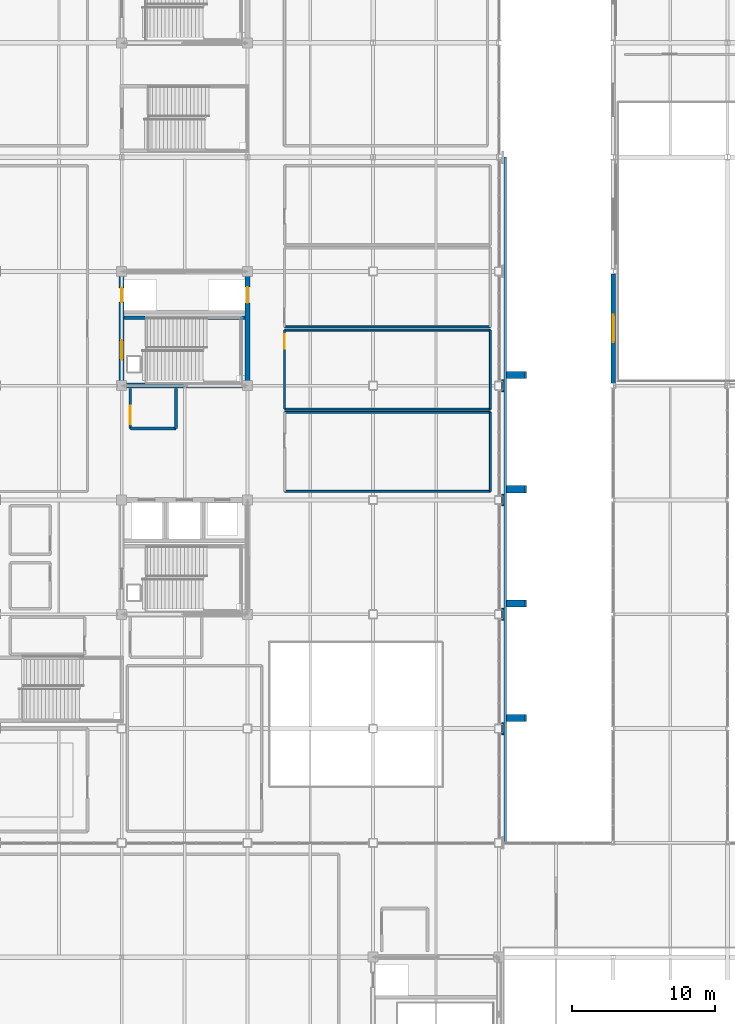
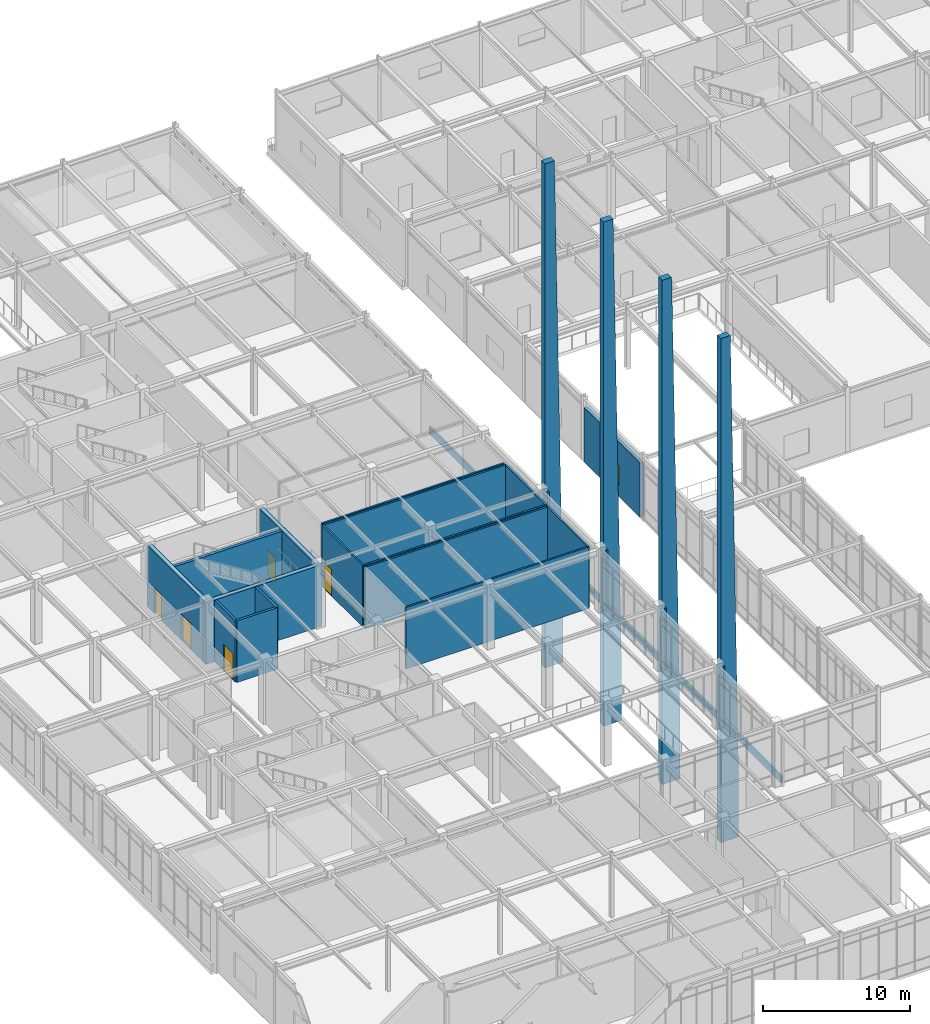
# One storey, part 162 of 184: 25 walls, 5 doors, 1 window, 6 openings.
"""IFC4 building model written with IfcOpenShell, lengths in metres."""

from ifc_helpers import new_model, si_unit, direction, frame, frame_2d, origin, place, context, subcontext, project, spatial, polyline, rectangle, outline, extrude, material, layer, layer_set, type_object, element, fill, save


model = new_model("IFC4")

# Units and contexts
model_context = context("Model", 3, precision=1e-05, world=origin(), true_north=direction((0.0, 1.0)))
body_context = subcontext(model_context, "Body", "Model", "MODEL_VIEW")
ifc_project = project(units=[si_unit("LENGTHUNIT", "METRE"), si_unit("AREAUNIT", "SQUARE_METRE"), si_unit("VOLUMEUNIT", "CUBIC_METRE"), si_unit("PLANEANGLEUNIT", "RADIAN"), si_unit("MASSUNIT", "GRAM", prefix="KILO")], contexts=[model_context])

# Site, building, storey
site_placement = place(None, origin())
site = spatial("IfcSite", under=ifc_project, at=site_placement, CompositionType="ELEMENT")
building_placement = place(site_placement, origin())
building = spatial("IfcBuilding", under=site, at=building_placement, Name="Zhaolan Boulevard Law Courts", CompositionType="ELEMENT")
storey_placement = place(building_placement, frame((0.0, 0.0, 5.39990234375)))
storey = spatial("IfcBuildingStorey", under=building, at=storey_placement, Name="L01", CompositionType="ELEMENT", Elevation=5.39990234375)

# Wall
ifc_material_1 = material(Name="Concrete C50", Category="concrete")
ifc_layer_1 = layer(ifc_material_1, 0.35009765625)
ifc_layer_set_1 = layer_set([ifc_layer_1])
wall_type_1 = type_object("IfcWallType", Name="CORE SHEAR WALL 350", PredefinedType="SHEAR", material=ifc_layer_set_1)
wall_1_placement = place(storey_placement, frame((17.425048828125, 62.0, 0.0), z_axis=(0.0, 0.0, 1.0), x_axis=(1.0, 0.0, 0.0)))
element("IfcWall", 1, at=wall_1_placement, inside=storey, type_object=wall_type_1, Name="Core Shear Wall CW-W2-L01S", PredefinedType="SHEAR", context=body_context, shape_type="SweptSolid", body=[
    extrude(rectangle(XDim=9.14990234375, YDim=0.35009765625, at=frame_2d((4.574951171875, 0.0))), origin(), (0.0, 0.0, 1.0), 5.1201171875),
])

# Wall, openings, doors
wall_2_placement = place(storey_placement, frame((17.60009765625, 62.175048828125, 0.0), z_axis=(0.0, 0.0, 1.0), x_axis=(0.0, 1.0, 0.0)))
wall_2 = element("IfcWall", 2, at=wall_2_placement, inside=storey, type_object=wall_type_1, Name="Core Shear Wall CW-W2-L01W", PredefinedType="SHEAR", context=body_context, shape_type="SweptSolid", body=[
    extrude(rectangle(XDim=7.64990234375, YDim=0.35009765625, at=frame_2d((3.824951171875, 0.0))), origin(), (0.0, 0.0, 1.0), 5.1201171875),
])
opening_1_placement = place(wall_2_placement, frame((1.64990234375, 0.0, 0.0)))
opening_1 = element("IfcOpeningElement", 3, at=opening_1_placement, cuts=wall_2, Name="Opening SD-L01-14", PredefinedType="OPENING", context=body_context, shape_type="SweptSolid", body=[
    extrude(rectangle(XDim=1.35009765625, YDim=2.199951171875, at=frame_2d((0.675048828125, 1.10009765625))), frame((0.0, 0.18505859375, 0.0), z_axis=(0.0, -1.0, 0.0), x_axis=(1.0, 0.0, 0.0)), (0.0, 0.0, 1.0), 0.3701171875),
])
opening_2_placement = place(wall_2_placement, frame((5.675048828125, 0.0, 0.0)))
opening_2 = element("IfcOpeningElement", 4, at=opening_2_placement, cuts=wall_2, Name="Opening LD-JL-02-L01", PredefinedType="OPENING", context=body_context, shape_type="SweptSolid", body=[
    extrude(rectangle(XDim=1.0, YDim=2.14990234375, at=frame_2d((0.5, 1.074951171875))), frame((0.0, 0.18505859375, 0.0), z_axis=(0.0, -1.0, 0.0), x_axis=(1.0, 0.0, 0.0)), (0.0, 0.0, 1.0), 0.3701171875),
])
ifc_material_2 = material(Name="Stainless steel sliding landing door", Category="steel")
door_type_1 = type_object("IfcDoorType", Name="LIFT LANDING 1000X2150", OperationType="DOUBLE_DOOR_SLIDING", PredefinedType="DOOR", material=ifc_material_2)
door_1_placement = place(opening_2_placement, origin())
door_1 = element("IfcDoor", 5, at=door_1_placement, inside=storey, type_object=door_type_1, Name="Lift Landing Sliding Door LD-JL-02-L01", OperationType="DOUBLE_DOOR_SLIDING", OverallHeight=2.14990234375, OverallWidth=1.0, PredefinedType="DOOR", context=body_context, shape_type="SweptSolid", body=[
    extrude(rectangle(XDim=1.0, YDim=2.14990234375, at=frame_2d((0.5, 1.074951171875))), frame((0.0, 0.02490234375, 0.0), z_axis=(0.0, -1.0, 0.0), x_axis=(1.0, 0.0, 0.0)), (0.0, 0.0, 1.0), 0.050048828125),
])
fill(opening_2, door_1)
ifc_material_3 = material(Name="Fire-rated steel acoustic door", Category="steel")
door_type_2 = type_object("IfcDoorType", Name="STAIR FIRE 1350X2200 R", OperationType="SINGLE_SWING_RIGHT", PredefinedType="DOOR", material=ifc_material_3)
door_2_placement = place(opening_1_placement, origin())
door_2 = element("IfcDoor", 6, at=door_2_placement, inside=storey, type_object=door_type_2, Name="Smoke-Proof Stairwell Fire Door SD-L01-14", OperationType="SINGLE_SWING_RIGHT", OverallHeight=2.199951171875, OverallWidth=1.35009765625, PredefinedType="DOOR", context=body_context, shape_type="SweptSolid", body=[
    extrude(rectangle(XDim=1.35009765625, YDim=2.199951171875, at=frame_2d((0.675048828125, 1.10009765625))), frame((0.0, 0.02490234375, 0.0), z_axis=(0.0, -1.0, 0.0), x_axis=(1.0, 0.0, 0.0)), (0.0, 0.0, 1.0), 0.050048828125),
])
fill(opening_1, door_2)

# Wall, opening, door
wall_3_placement = place(storey_placement, frame((26.39990234375, 62.175048828125, 0.0), z_axis=(0.0, 0.0, 1.0), x_axis=(0.0, 1.0, 0.0)))
wall_3 = element("IfcWall", 7, at=wall_3_placement, inside=storey, type_object=wall_type_1, Name="Core Shear Wall CW-W2-L01E", PredefinedType="SHEAR", context=body_context, shape_type="SweptSolid", body=[
    extrude(rectangle(XDim=7.64990234375, YDim=0.35009765625, at=frame_2d((3.824951171875, 0.0))), origin(), (0.0, 0.0, 1.0), 5.1201171875),
])
opening_3_placement = place(wall_3_placement, frame((5.625, 0.0, 0.0)))
opening_3 = element("IfcOpeningElement", 8, at=opening_3_placement, cuts=wall_3, Name="Opening LD-FL-03-L01", PredefinedType="OPENING", context=body_context, shape_type="SweptSolid", body=[
    extrude(rectangle(XDim=1.10009765625, YDim=2.14990234375, at=frame_2d((0.550048828125, 1.074951171875))), frame((0.0, 0.18505859375, 0.0), z_axis=(0.0, -1.0, 0.0), x_axis=(1.0, 0.0, 0.0)), (0.0, 0.0, 1.0), 0.3701171875),
])
ifc_material_4 = material(Name="Stainless steel sliding landing door", Category="steel")
door_type_3 = type_object("IfcDoorType", Name="LIFT LANDING 1100X2150", OperationType="DOUBLE_DOOR_SLIDING", PredefinedType="DOOR", material=ifc_material_4)
door_3_placement = place(opening_3_placement, origin())
door_3 = element("IfcDoor", 9, at=door_3_placement, inside=storey, type_object=door_type_3, Name="Lift Landing Sliding Door LD-FL-03-L01", OperationType="DOUBLE_DOOR_SLIDING", OverallHeight=2.14990234375, OverallWidth=1.10009765625, PredefinedType="DOOR", context=body_context, shape_type="SweptSolid", body=[
    extrude(rectangle(XDim=1.10009765625, YDim=2.14990234375, at=frame_2d((0.550048828125, 1.074951171875))), frame((0.0, 0.02490234375, 0.0), z_axis=(0.0, -1.0, 0.0), x_axis=(1.0, 0.0, 0.0)), (0.0, 0.0, 1.0), 0.050048828125),
])
fill(opening_3, door_3)

# Walls
ifc_material_5 = material(Name="Concrete C40", Category="concrete")
ifc_layer_2 = layer(ifc_material_5, 0.139892578125)
ifc_layer_set_2 = layer_set([ifc_layer_2])
wall_type_2 = type_object("IfcWallType", Name="EXT WALL ARCH CLAD140", PredefinedType="SOLIDWALL", material=ifc_layer_set_2)
for number, where, z_axis, x_axis, name in (
    (10, (44.280029296875, 37.580078125, 0.0), (0.0, 0.0, 1.0), (0.0, 1.0, 0.0), "Concrete Column Cloak Pier CPR-043"),
    (11, (44.280029296875, 45.580078125, 0.0), (0.0, 0.0, 1.0), (0.0, 1.0, 0.0), "Concrete Column Cloak Pier CPR-045"),
    (12, (44.280029296875, 53.580078125, 0.0), (0.0, 0.0, 1.0), (0.0, 1.0, 0.0), "Concrete Column Cloak Pier CPR-047"),
    (13, (44.280029296875, 61.580078125, 0.0), (0.0, 0.0, 1.0), (0.0, 1.0, 0.0), "Concrete Column Cloak Pier CPR-049"),
):
    element("IfcWall", number, at=place(storey_placement, frame(where, z_axis=z_axis, x_axis=x_axis)), inside=storey, type_object=wall_type_2, Name=name, PredefinedType="SOLIDWALL", context=body_context, shape_type="SweptSolid", body=[
        extrude(rectangle(XDim=0.83984375, YDim=0.139892578125, at=frame_2d((0.419921875, 0.0))), origin(), (0.0, 0.0, 1.0), 5.14013671875),
    ])
ifc_material_6 = material(Name="Concrete C40", Category="concrete")
ifc_layer_3 = layer(ifc_material_6, 0.159912109375)
ifc_layer_set_3 = layer_set([ifc_layer_3])
wall_type_3 = type_object("IfcWallType", Name="EXT WALL ARCH CLAD160", PredefinedType="SOLIDWALL", material=ifc_layer_set_3)
wall_4_placement = place(storey_placement, frame((44.43994140625, 30.0, 0.0), z_axis=(0.0, 0.0, 1.0), x_axis=(0.0, 1.0, 0.0)))
element("IfcWall", 14, at=wall_4_placement, inside=storey, type_object=wall_type_3, Name="Sculpted Concrete Spandrel Band CBW-039", PredefinedType="SOLIDWALL", context=body_context, shape_type="SweptSolid", body=[
    extrude(rectangle(XDim=48.0, YDim=0.159912109375, at=frame_2d((24.0, 0.0))), origin(), (0.0, 0.0, 1.0), 0.580078125),
])
ifc_material_7 = material(Name="Concrete C40", Category="concrete")
ifc_layer_4 = layer(ifc_material_7, 0.5)
ifc_layer_set_4 = layer_set([ifc_layer_4])
wall_type_4 = type_object("IfcWallType", Name="EXT WALL BUTTRESS500", PredefinedType="SOLIDWALL", material=ifc_layer_set_4)
for number, where, z_axis, x_axis, name in (
    (15, (44.5400390625, 38.75, -10.199951171875), (0.0, 0.0, 1.0), (1.0, 0.0, 0.0), "Sculpted East Courtyard Concrete Fin SCF-225"),
    (16, (44.5400390625, 46.75, -10.199951171875), (0.0, 0.0, 1.0), (1.0, 0.0, 0.0), "Sculpted East Courtyard Concrete Fin SCF-226"),
    (17, (44.5400390625, 54.75, -10.199951171875), (0.0, 0.0, 1.0), (1.0, 0.0, 0.0), "Sculpted East Courtyard Concrete Fin SCF-227"),
    (18, (44.5400390625, 62.75, -10.199951171875), (0.0, 0.0, 1.0), (1.0, 0.0, 0.0), "Sculpted East Courtyard Concrete Fin SCF-228"),
):
    element("IfcWall", number, at=place(storey_placement, frame(where, z_axis=z_axis, x_axis=x_axis)), inside=storey, type_object=wall_type_4, Name=name, PredefinedType="SOLIDWALL", context=body_context, shape_type="SweptSolid", body=[
        extrude(outline(polyline([(0.0, 0.0), (1.409912109375, 0.0), (1.409912109375, 4.800048828125), (0.75, 42.0), (0.0, 42.0), (0.0, 0.0)])), frame((0.0, 0.25, 0.0), z_axis=(0.0, -1.0, 0.0), x_axis=(1.0, 0.0, 0.0)), (0.0, 0.0, 1.0), 0.5),
    ])

# Wall, opening, window
ifc_material_8 = material(Name="Concrete C40", Category="concrete")
ifc_layer_5 = layer(ifc_material_8, 0.300048828125)
ifc_layer_set_5 = layer_set([ifc_layer_5])
wall_type_5 = type_object("IfcWallType", Name="EXT WALL CONCRETE300", PredefinedType="SOLIDWALL", material=ifc_layer_set_5)
wall_5_placement = place(storey_placement, frame((52.0, 69.8291015625, 0.0), z_axis=(0.0, 0.0, 1.0), x_axis=(0.0, -1.0, 0.0)))
wall_5 = element("IfcWall", 19, at=wall_5_placement, inside=storey, type_object=wall_type_5, Name="Exterior Wall EW-L01-229", PredefinedType="SOLIDWALL", context=body_context, shape_type="SweptSolid", body=[
    extrude(rectangle(XDim=7.658203125, YDim=0.300048828125, at=frame_2d((3.8291015625, 0.0))), origin(), (0.0, 0.0, 1.0), 4.503173828125),
])
opening_4_placement = place(wall_5_placement, frame((2.87890625, 0.0, 0.949951171875)))
opening_4 = element("IfcOpeningElement", 20, at=opening_4_placement, cuts=wall_5, Name="Opening WIN-L01-086", PredefinedType="OPENING", context=body_context, shape_type="SweptSolid", body=[
    extrude(rectangle(XDim=1.89990234375, YDim=1.60009765625, at=frame_2d((0.949951171875, 0.800048828125))), frame((0.0, 0.159912109375, 0.0), z_axis=(0.0, -1.0, 0.0), x_axis=(1.0, 0.0, 0.0)), (0.0, 0.0, 1.0), 0.320068359375),
])
ifc_material_9 = material(Name="Thermally broken aluminium and low-E glazing", Category="aluminium")
window_type = type_object("IfcWindowType", Name="WINDOW 1900X1600", PartitioningType="DOUBLE_PANEL_VERTICAL", PredefinedType="WINDOW", material=ifc_material_9)
window_placement = place(opening_4_placement, origin())
window = element("IfcWindow", 21, at=window_placement, inside=storey, type_object=window_type, Name="Exterior Window WIN-L01-086", OverallHeight=1.60009765625, OverallWidth=1.89990234375, PartitioningType="SINGLE_PANEL", PredefinedType="WINDOW", context=body_context, shape_type="SweptSolid", body=[
    extrude(rectangle(XDim=1.89990234375, YDim=1.60009765625, at=frame_2d((0.949951171875, 0.800048828125))), frame((0.0, 0.030029296875, 0.0), z_axis=(0.0, -1.0, 0.0), x_axis=(1.0, 0.0, 0.0)), (0.0, 0.0, 1.0), 0.06005859375),
])
fill(opening_4, window)

# Wall
ifc_material_10 = material(Name="Acoustic gypsum and mineral-wool stud")
ifc_layer_6 = layer(ifc_material_10, 0.18994140625)
ifc_layer_set_6 = layer_set([ifc_layer_6])
wall_type_6 = type_object("IfcWallType", Name="PART WALL ACOUST190", PredefinedType="PARTITIONING", material=ifc_layer_set_6)
wall_6_placement = place(storey_placement, frame((18.199951171875, 59.0, 0.0), z_axis=(0.0, 0.0, 1.0), x_axis=(1.0, 0.0, 0.0)))
element("IfcWall", 22, at=wall_6_placement, inside=storey, type_object=wall_type_6, Name="Interior Partition PW-L01-016", PredefinedType="PARTITIONING", context=body_context, shape_type="SweptSolid", body=[
    extrude(rectangle(XDim=3.199951171875, YDim=0.18994140625, at=frame_2d((1.60009765625, 0.0))), origin(), (0.0, 0.0, 1.0), 5.1201171875),
])

# Wall, opening, door
wall_7_placement = place(storey_placement, frame((18.199951171875, 61.800048828125, 0.0), z_axis=(0.0, 0.0, 1.0), x_axis=(0.0, -1.0, 0.0)))
wall_7 = element("IfcWall", 23, at=wall_7_placement, inside=storey, type_object=wall_type_6, Name="Interior Partition PW-L01-017", PredefinedType="PARTITIONING", context=body_context, shape_type="SweptSolid", body=[
    extrude(rectangle(XDim=2.800048828125, YDim=0.18994140625, at=frame_2d((1.39990234375, 0.0))), origin(), (0.0, 0.0, 1.0), 5.1201171875),
])
opening_5_placement = place(wall_7_placement, frame((1.199951171875, 0.0, 0.0)))
opening_5 = element("IfcOpeningElement", 24, at=opening_5_placement, cuts=wall_7, Name="Opening FD-L01-006", PredefinedType="OPENING", context=body_context, shape_type="SweptSolid", body=[
    extrude(rectangle(XDim=1.300048828125, YDim=2.199951171875, at=frame_2d((0.64990234375, 1.10009765625))), frame((0.0, 0.10498046875, 0.0), z_axis=(0.0, -1.0, 0.0), x_axis=(1.0, 0.0, 0.0)), (0.0, 0.0, 1.0), 0.2099609375),
])
ifc_material_11 = material(Name="Fire-rated steel acoustic door", Category="steel")
door_type_4 = type_object("IfcDoorType", Name="LOBBY FIRE 1300X2200 R", OperationType="SINGLE_SWING_RIGHT", PredefinedType="DOOR", material=ifc_material_11)
door_4_placement = place(opening_5_placement, origin())
door_4 = element("IfcDoor", 25, at=door_4_placement, inside=storey, type_object=door_type_4, Name="Door FD-L01-006 (Lobby Firefighting Lift L01-W2)", OperationType="SINGLE_SWING_RIGHT", OverallHeight=2.199951171875, OverallWidth=1.300048828125, PredefinedType="DOOR", context=body_context, shape_type="SweptSolid", body=[
    extrude(rectangle(XDim=1.300048828125, YDim=2.199951171875, at=frame_2d((0.64990234375, 1.10009765625))), frame((0.0, 0.02490234375, 0.0), z_axis=(0.0, -1.0, 0.0), x_axis=(1.0, 0.0, 0.0)), (0.0, 0.0, 1.0), 0.050048828125),
])
fill(opening_5, door_4)

# Walls
wall_8_placement = place(storey_placement, frame((21.39990234375, 59.0, 0.0), z_axis=(0.0, 0.0, 1.0), x_axis=(0.0, 1.0, 0.0)))
element("IfcWall", 26, at=wall_8_placement, inside=storey, type_object=wall_type_6, Name="Interior Partition PW-L01-018", PredefinedType="PARTITIONING", context=body_context, shape_type="SweptSolid", body=[
    extrude(rectangle(XDim=2.800048828125, YDim=0.18994140625, at=frame_2d((1.39990234375, 0.0))), origin(), (0.0, 0.0, 1.0), 5.1201171875),
])
ifc_material_12 = material(Name="Fire-rated gypsum stud partition")
ifc_layer_7 = layer(ifc_material_12, 0.139892578125)
ifc_layer_set_7 = layer_set([ifc_layer_7])
wall_type_7 = type_object("IfcWallType", Name="PART WALL OFFICE140", PredefinedType="PARTITIONING", material=ifc_layer_set_7)
for number, where, z_axis, x_axis, name in (
    (27, (29.0, 54.60009765625, 0.0), (0.0, 0.0, 1.0), (1.0, 0.0, 0.0), "Interior Partition PW-L01-407"),
    (28, (43.39990234375, 60.135009765625, 0.0), (0.0, 0.0, 1.0), (-1.0, 0.0, 0.0), "Interior Partition PW-L01-408"),
):
    element("IfcWall", number, at=place(storey_placement, frame(where, z_axis=z_axis, x_axis=x_axis)), inside=storey, type_object=wall_type_7, Name=name, PredefinedType="PARTITIONING", context=body_context, shape_type="SweptSolid", body=[
        extrude(rectangle(XDim=14.39990234375, YDim=0.139892578125, at=frame_2d((7.199951171875, 0.0))), origin(), (0.0, 0.0, 1.0), 5.1201171875),
    ])
wall_9_placement = place(storey_placement, frame((43.39990234375, 54.60009765625, 0.0), z_axis=(0.0, 0.0, 1.0), x_axis=(0.0, 1.0, 0.0)))
element("IfcWall", 29, at=wall_9_placement, inside=storey, type_object=wall_type_7, Name="Interior Partition PW-L01-410", PredefinedType="PARTITIONING", context=body_context, shape_type="SweptSolid", body=[
    extrude(rectangle(XDim=5.534912109375, YDim=0.139892578125, at=frame_2d((2.767578125, 0.0))), origin(), (0.0, 0.0, 1.0), 5.1201171875),
])
for number, where, z_axis, x_axis, name in (
    (30, (29.0, 60.35498046875, 0.0), (0.0, 0.0, 1.0), (1.0, 0.0, 0.0), "Interior Partition PW-L01-411"),
    (31, (43.39990234375, 65.889892578125, 0.0), (0.0, 0.0, 1.0), (-1.0, 0.0, 0.0), "Interior Partition PW-L01-412"),
):
    element("IfcWall", number, at=place(storey_placement, frame(where, z_axis=z_axis, x_axis=x_axis)), inside=storey, type_object=wall_type_7, Name=name, PredefinedType="PARTITIONING", context=body_context, shape_type="SweptSolid", body=[
        extrude(rectangle(XDim=14.39990234375, YDim=0.139892578125, at=frame_2d((7.199951171875, 0.0))), origin(), (0.0, 0.0, 1.0), 5.1201171875),
    ])

# Wall, opening, door
wall_10_placement = place(storey_placement, frame((29.0, 65.889892578125, 0.0), z_axis=(0.0, 0.0, 1.0), x_axis=(0.0, -1.0, 0.0)))
wall_10 = element("IfcWall", 32, at=wall_10_placement, inside=storey, type_object=wall_type_7, Name="Interior Partition PW-L01-413", PredefinedType="PARTITIONING", context=body_context, shape_type="SweptSolid", body=[
    extrude(rectangle(XDim=5.534912109375, YDim=0.139892578125, at=frame_2d((2.767578125, 0.0))), origin(), (0.0, 0.0, 1.0), 5.1201171875),
])
opening_6_placement = place(wall_10_placement, frame((0.300048828125, 0.0, 0.0)))
opening_6 = element("IfcOpeningElement", 33, at=opening_6_placement, cuts=wall_10, Name="Opening JD-L01-128", PredefinedType="OPENING", context=body_context, shape_type="SweptSolid", body=[
    extrude(rectangle(XDim=1.0, YDim=2.199951171875, at=frame_2d((0.5, 1.10009765625))), frame((0.0, 0.079833984375, 0.0), z_axis=(0.0, -1.0, 0.0), x_axis=(1.0, 0.0, 0.0)), (0.0, 0.0, 1.0), 0.159912109375),
])
ifc_material_13 = material(Name="Solid-core acoustic oak veneer door")
door_type_5 = type_object("IfcDoorType", Name="CHAMBER DOOR 1000X2200 L", OperationType="SINGLE_SWING_LEFT", PredefinedType="DOOR", material=ifc_material_13)
door_5_placement = place(opening_6_placement, origin())
door_5 = element("IfcDoor", 34, at=door_5_placement, inside=storey, type_object=door_type_5, Name="Door JD-L01-128 (Judges' Chambers L01-02)", OperationType="SINGLE_SWING_LEFT", OverallHeight=2.199951171875, OverallWidth=1.0, PredefinedType="DOOR", context=body_context, shape_type="SweptSolid", body=[
    extrude(rectangle(XDim=1.0, YDim=2.199951171875, at=frame_2d((0.5, 1.10009765625))), frame((0.0, 0.02490234375, 0.0), z_axis=(0.0, -1.0, 0.0), x_axis=(1.0, 0.0, 0.0)), (0.0, 0.0, 1.0), 0.050048828125),
])
fill(opening_6, door_5)

# Walls
wall_11_placement = place(storey_placement, frame((43.39990234375, 60.35498046875, 0.0), z_axis=(0.0, 0.0, 1.0), x_axis=(0.0, 1.0, 0.0)))
element("IfcWall", 35, at=wall_11_placement, inside=storey, type_object=wall_type_7, Name="Interior Partition PW-L01-414", PredefinedType="PARTITIONING", context=body_context, shape_type="SweptSolid", body=[
    extrude(rectangle(XDim=5.534912109375, YDim=0.139892578125, at=frame_2d((2.767578125, 0.0))), origin(), (0.0, 0.0, 1.0), 5.1201171875),
])
wall_12_placement = place(storey_placement, frame((29.0, 66.110107421875, 0.0), z_axis=(0.0, 0.0, 1.0), x_axis=(1.0, 0.0, 0.0)))
element("IfcWall", 36, at=wall_12_placement, inside=storey, type_object=wall_type_7, Name="Interior Partition PW-L01-415", PredefinedType="PARTITIONING", context=body_context, shape_type="SweptSolid", body=[
    extrude(rectangle(XDim=14.39990234375, YDim=0.139892578125, at=frame_2d((7.199951171875, 0.0))), origin(), (0.0, 0.0, 1.0), 5.1201171875),
])
ifc_material_14 = material(Name="Concrete C50", Category="concrete")
ifc_layer_8 = layer(ifc_material_14, 0.239990234375)
ifc_layer_set_8 = layer_set([ifc_layer_8])
wall_type_8 = type_object("IfcWallType", Name="STAIR WELL WALL 240", PredefinedType="SHEAR", material=ifc_layer_set_8)
wall_13_placement = place(storey_placement, frame((17.77490234375, 66.75, 0.0), z_axis=(0.0, 0.0, 1.0), x_axis=(1.0, 0.0, 0.0)))
element("IfcWall", 37, at=wall_13_placement, inside=storey, type_object=wall_type_8, Name="Stairwell Divider Shear Wall ST02-L01N", PredefinedType="SHEAR", context=body_context, shape_type="SweptSolid", body=[
    extrude(rectangle(XDim=8.4501953125, YDim=0.239990234375, at=frame_2d((4.22509765625, 0.0))), origin(), (0.0, 0.0, 1.0), 5.1201171875),
])

save(model, "model.ifc")
